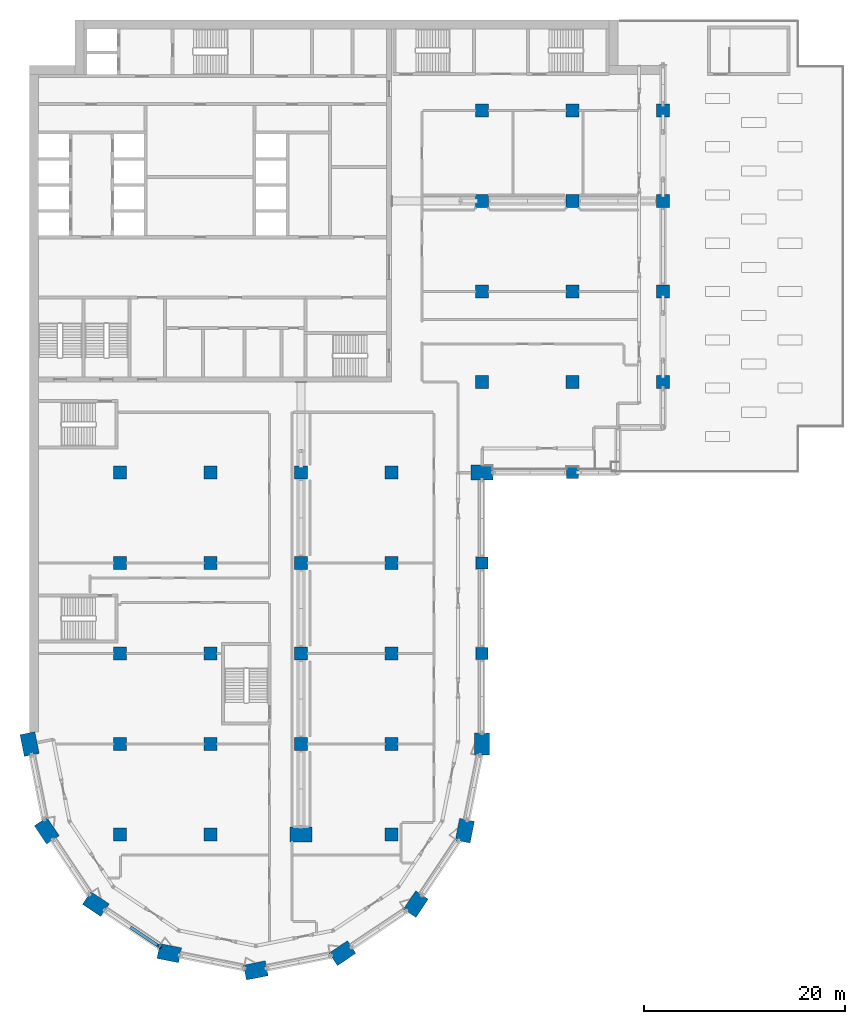
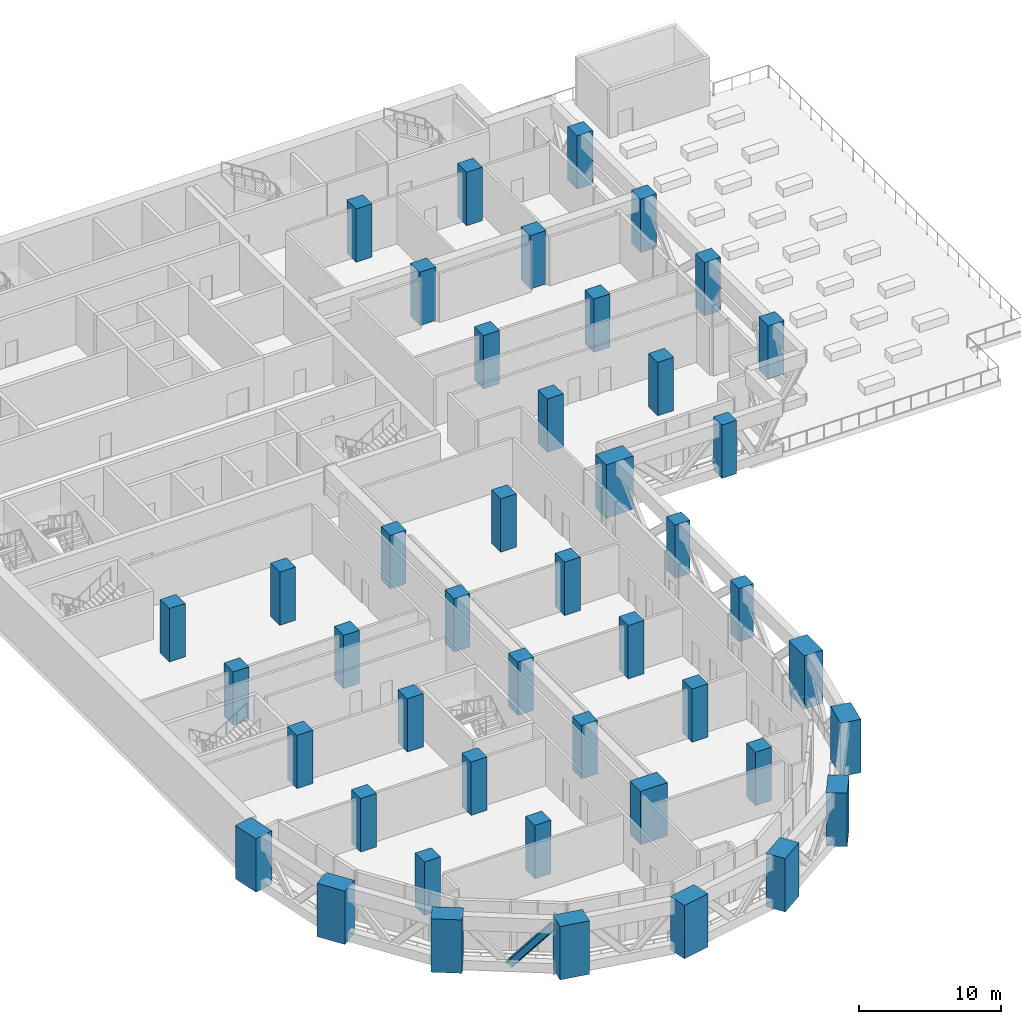
# One storey, part 1 of 22: 45 columns, 1 member.
"""IFC4 building model written with IfcOpenShell, lengths in metres."""

from ifc_helpers import new_model, si_unit, direction, frame, origin, origin_2d, place, context, subcontext, project, spatial, rectangle, i_section, extrude, material, material_profile, profile_set, type_object, element, save


model = new_model("IFC4")

# Units and contexts
model_context = context("Model", 3, precision=1e-05, world=origin(), true_north=direction((0.0, 1.0)))
body_context = subcontext(model_context, "Body", "Model", "MODEL_VIEW")
ifc_project = project(units=[si_unit("LENGTHUNIT", "METRE"), si_unit("AREAUNIT", "SQUARE_METRE"), si_unit("VOLUMEUNIT", "CUBIC_METRE"), si_unit("PLANEANGLEUNIT", "RADIAN"), si_unit("MASSUNIT", "GRAM", prefix="KILO")], contexts=[model_context])

# Site, building, storey
site_placement = place(None, origin())
site = spatial("IfcSite", under=ifc_project, at=site_placement, CompositionType="ELEMENT")
building_placement = place(site_placement, origin())
building = spatial("IfcBuilding", under=site, at=building_placement, Name="Hunhe Ridgeline Campus", CompositionType="ELEMENT")
storey_placement = place(building_placement, frame((0.0, 0.0, 129.199951171875)))
storey = spatial("IfcBuildingStorey", under=building, at=storey_placement, Name="L32", CompositionType="ELEMENT", Elevation=129.199951171875)

# Columns
ifc_material_1 = material(Name="Concrete C70", Category="concrete")
ifc_material_profile_1 = material_profile(ifc_material_1, rectangle(XDim=2.199951171875, YDim=1.5, at=origin_2d()))
ifc_profile_set_1 = profile_set([ifc_material_profile_1], Name="Concrete C70")
column_type_1 = type_object("IfcColumnType", Name="Megacolumn 2200x1500 Concrete C70", PredefinedType="COLUMN", material=ifc_profile_set_1)
for number, where, z_axis, x_axis, name in (
    (1, (22.5, 4.5, 0.0), (0.0, 0.0, 1.0), (0.980785280403, 0.195090322016, 0.0), "Column C6 R1 L32"),
    (2, (13.8896484375, 6.212646484375, 0.0), (0.0, 0.0, 1.0), (-0.980785280403, 0.195090322016, 0.0), "Column C6 R2 L32"),
    (3, (31.1103515625, 6.212646484375, 0.0), (0.0, 0.0, 1.0), (0.831469612303, 0.55557023302, 0.0), "Column C6 R3 L32"),
    (4, (6.590087890625, 11.090087890625, 0.0), (0.0, 0.0, 1.0), (-0.831469612303, 0.55557023302, 0.0), "Column C6 R4 L32"),
    (5, (38.409912109375, 11.090087890625, 0.0), (0.0, 0.0, 1.0), (0.55557023302, 0.831469612303, 0.0), "Column C6 R5 L32"),
    (6, (1.712646484375, 18.3896484375, 0.0), (0.0, 0.0, 1.0), (-0.55557023302, 0.831469612303, 0.0), "Column C6 R9 L32"),
    (7, (43.287353515625, 18.3896484375, 0.0), (0.0, 0.0, 1.0), (0.195090322016, 0.980785280403, 0.0), "Column C6 R10 L32"),
    (8, (0.0, 27.0, 0.0), (0.0, 0.0, 1.0), (-0.195090322016, 0.980785280403, 0.0), "Column C6 D1 L32"),
    (9, (45.0, 27.0, 0.0), (0.0, 0.0, 1.0), (0.0, 1.0, 0.0), "Column C6 D6 L32"),
    (10, (45.0, 54.0, 0.0), (0.0, 0.0, 1.0), (1.0, 0.0, 0.0), "Column C6 G6 L32"),
    (11, (27.0, 18.0, 0.0), (0.0, 0.0, 1.0), (1.0, 0.0, 0.0), "Column C6 C4 L32"),
):
    element("IfcColumn", number, at=place(storey_placement, frame(where, z_axis=z_axis, x_axis=x_axis)), inside=storey, type_object=column_type_1, Name=name, PredefinedType="COLUMN", context=body_context, shape_type="SweptSolid", body=[
        extrude(rectangle(XDim=2.199951171875, YDim=1.5, at=origin_2d()), origin(), (0.0, 0.0, 1.0), 4.60009765625),
    ])
ifc_material_profile_2 = material_profile(ifc_material_1, rectangle(XDim=1.199951171875, YDim=1.199951171875, at=origin_2d()))
ifc_profile_set_2 = profile_set([ifc_material_profile_2], Name="Concrete C70")
column_type_2 = type_object("IfcColumnType", Name="RC column 1200x1200 Concrete C70", PredefinedType="COLUMN", material=ifc_profile_set_2)
for number, where, z_axis, x_axis, name in (
    (12, (45.0, 36.0, 0.0), (0.0, 0.0, 1.0), (1.0, 0.0, 0.0), "Column C7 E6 L32"),
    (13, (45.0, 45.0, 0.0), (0.0, 0.0, 1.0), (1.0, 0.0, 0.0), "Column C7 F6 L32"),
    (14, (54.0, 54.0, 0.0), (0.0, 0.0, 1.0), (1.0, 0.0, 0.0), "Column C7 G7 L32"),
):
    element("IfcColumn", number, at=place(storey_placement, frame(where, z_axis=z_axis, x_axis=x_axis)), inside=storey, type_object=column_type_2, Name=name, PredefinedType="COLUMN", context=body_context, shape_type="SweptSolid", body=[
        extrude(rectangle(XDim=1.199951171875, YDim=1.199951171875, at=origin_2d()), origin(), (0.0, 0.0, 1.0), 4.60009765625),
    ])
ifc_material_profile_3 = material_profile(ifc_material_1, rectangle(XDim=1.300048828125, YDim=1.300048828125, at=origin_2d()))
ifc_profile_set_3 = profile_set([ifc_material_profile_3], Name="Concrete C70")
column_type_3 = type_object("IfcColumnType", Name="RC column 1300x1300 Concrete C70", PredefinedType="COLUMN", material=ifc_profile_set_3)
for number, where, z_axis, x_axis, name in (
    (15, (63.0, 63.0, 0.0), (0.0, 0.0, 1.0), (1.0, 0.0, 0.0), "Column C8 H8 L32"),
    (16, (63.0, 72.0, 0.0), (0.0, 0.0, 1.0), (1.0, 0.0, 0.0), "Column C8 I8 L32"),
    (17, (63.0, 81.0, 0.0), (0.0, 0.0, 1.0), (1.0, 0.0, 0.0), "Column C8 J8 L32"),
    (18, (63.0, 90.0, 0.0), (0.0, 0.0, 1.0), (1.0, 0.0, 0.0), "Column C8 K8 L32"),
    (19, (9.0, 18.0, 0.0), (0.0, 0.0, 1.0), (1.0, 0.0, 0.0), "Column C8 C2 L32"),
    (20, (9.0, 27.0, 0.0), (0.0, 0.0, 1.0), (1.0, 0.0, 0.0), "Column C8 D2 L32"),
    (21, (9.0, 36.0, 0.0), (0.0, 0.0, 1.0), (1.0, 0.0, 0.0), "Column C8 E2 L32"),
    (22, (9.0, 45.0, 0.0), (0.0, 0.0, 1.0), (1.0, 0.0, 0.0), "Column C8 F2 L32"),
    (23, (9.0, 54.0, 0.0), (0.0, 0.0, 1.0), (1.0, 0.0, 0.0), "Column C8 G2 L32"),
    (24, (18.0, 18.0, 0.0), (0.0, 0.0, 1.0), (1.0, 0.0, 0.0), "Column C8 C3 L32"),
    (25, (18.0, 27.0, 0.0), (0.0, 0.0, 1.0), (1.0, 0.0, 0.0), "Column C8 D3 L32"),
    (26, (18.0, 36.0, 0.0), (0.0, 0.0, 1.0), (1.0, 0.0, 0.0), "Column C8 E3 L32"),
    (27, (18.0, 45.0, 0.0), (0.0, 0.0, 1.0), (1.0, 0.0, 0.0), "Column C8 F3 L32"),
    (28, (18.0, 54.0, 0.0), (0.0, 0.0, 1.0), (1.0, 0.0, 0.0), "Column C8 G3 L32"),
    (29, (27.0, 27.0, 0.0), (0.0, 0.0, 1.0), (1.0, 0.0, 0.0), "Column C8 D4 L32"),
    (30, (27.0, 36.0, 0.0), (0.0, 0.0, 1.0), (1.0, 0.0, 0.0), "Column C8 E4 L32"),
    (31, (27.0, 45.0, 0.0), (0.0, 0.0, 1.0), (1.0, 0.0, 0.0), "Column C8 F4 L32"),
    (32, (27.0, 54.0, 0.0), (0.0, 0.0, 1.0), (1.0, 0.0, 0.0), "Column C8 G4 L32"),
    (33, (36.0, 18.0, 0.0), (0.0, 0.0, 1.0), (1.0, 0.0, 0.0), "Column C8 C5 L32"),
    (34, (36.0, 27.0, 0.0), (0.0, 0.0, 1.0), (1.0, 0.0, 0.0), "Column C8 D5 L32"),
    (35, (36.0, 36.0, 0.0), (0.0, 0.0, 1.0), (1.0, 0.0, 0.0), "Column C8 E5 L32"),
    (36, (36.0, 45.0, 0.0), (0.0, 0.0, 1.0), (1.0, 0.0, 0.0), "Column C8 F5 L32"),
    (37, (36.0, 54.0, 0.0), (0.0, 0.0, 1.0), (1.0, 0.0, 0.0), "Column C8 G5 L32"),
    (38, (45.0, 63.0, 0.0), (0.0, 0.0, 1.0), (1.0, 0.0, 0.0), "Column C8 H6 L32"),
    (39, (45.0, 72.0, 0.0), (0.0, 0.0, 1.0), (1.0, 0.0, 0.0), "Column C8 I6 L32"),
    (40, (45.0, 81.0, 0.0), (0.0, 0.0, 1.0), (1.0, 0.0, 0.0), "Column C8 J6 L32"),
    (41, (45.0, 90.0, 0.0), (0.0, 0.0, 1.0), (1.0, 0.0, 0.0), "Column C8 K6 L32"),
    (42, (54.0, 63.0, 0.0), (0.0, 0.0, 1.0), (1.0, 0.0, 0.0), "Column C8 H7 L32"),
    (43, (54.0, 72.0, 0.0), (0.0, 0.0, 1.0), (1.0, 0.0, 0.0), "Column C8 I7 L32"),
    (44, (54.0, 81.0, 0.0), (0.0, 0.0, 1.0), (1.0, 0.0, 0.0), "Column C8 J7 L32"),
    (45, (54.0, 90.0, 0.0), (0.0, 0.0, 1.0), (1.0, 0.0, 0.0), "Column C8 K7 L32"),
):
    element("IfcColumn", number, at=place(storey_placement, frame(where, z_axis=z_axis, x_axis=x_axis)), inside=storey, type_object=column_type_3, Name=name, PredefinedType="COLUMN", context=body_context, shape_type="SweptSolid", body=[
        extrude(rectangle(XDim=1.300048828125, YDim=1.300048828125, at=origin_2d()), origin(), (0.0, 0.0, 1.0), 4.60009765625),
    ])

# Member
ifc_material_2 = material(Name="Steel Q420", Category="steel")
ifc_material_profile_4 = material_profile(ifc_material_2, i_section(OverallWidth=0.300048828125, OverallDepth=0.587890625, WebThickness=0.011962890625, FlangeThickness=0.02001953125, FilletRadius=0.012939453125, at=origin_2d()))
ifc_profile_set_4 = profile_set([ifc_material_profile_4], Name="Steel Q420")
member_type = type_object("IfcMemberType", Name="Belt truss diagonal HM588x300x12x20 Steel Q420", PredefinedType="BRACE", material=ifc_profile_set_4)
member_placement = place(storey_placement, frame((10.2021484375, 8.676513671875, 0.400146484375), z_axis=(0.55664810166, -0.371904813689, 0.74285240827), x_axis=(0.555533513346, 0.831494146431, 0.0)))
element("IfcMember", 46, at=member_placement, inside=storey, type_object=member_type, Name="Belt truss BT1 diagonal L32 12", PredefinedType="BRACE", context=body_context, shape_type="SweptSolid", body=[
    extrude(i_section(OverallWidth=0.300048828125, OverallDepth=0.587890625, WebThickness=0.011962890625, FlangeThickness=0.02001953125, FilletRadius=0.012939453125, at=origin_2d()), origin(), (0.0, 0.0, 1.0), 4.845947265625),
])

save(model, "model.ifc")
